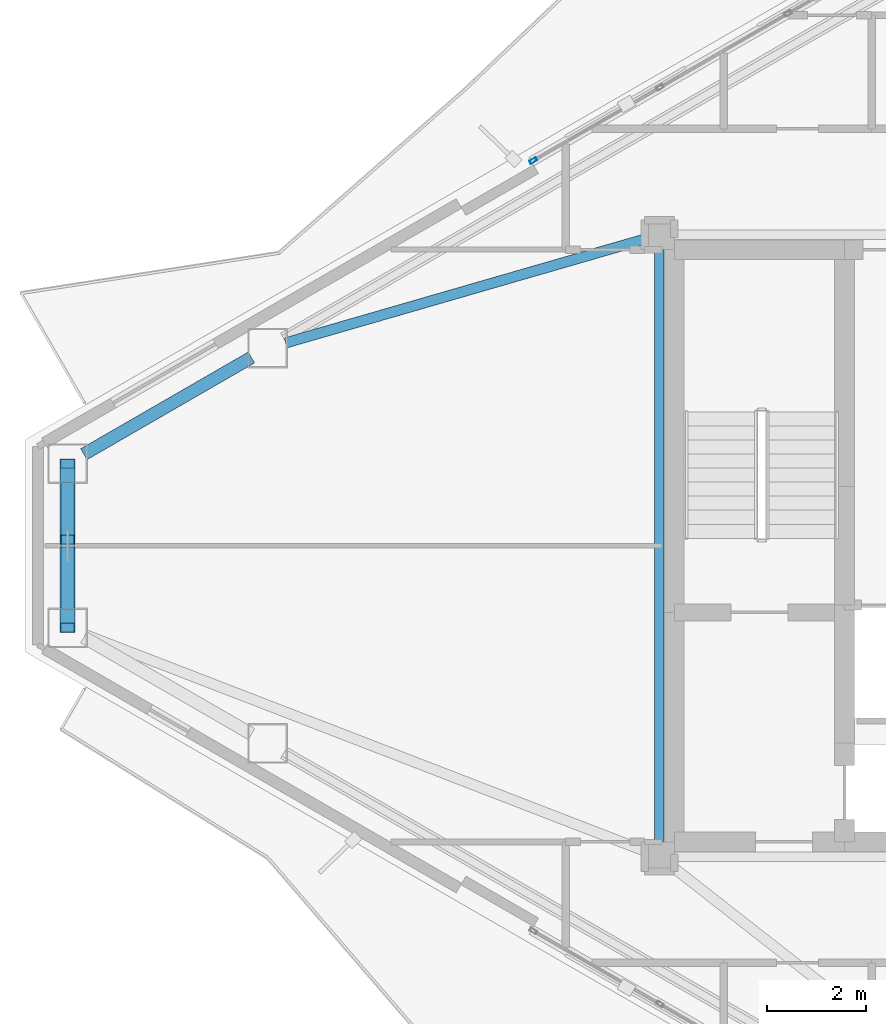
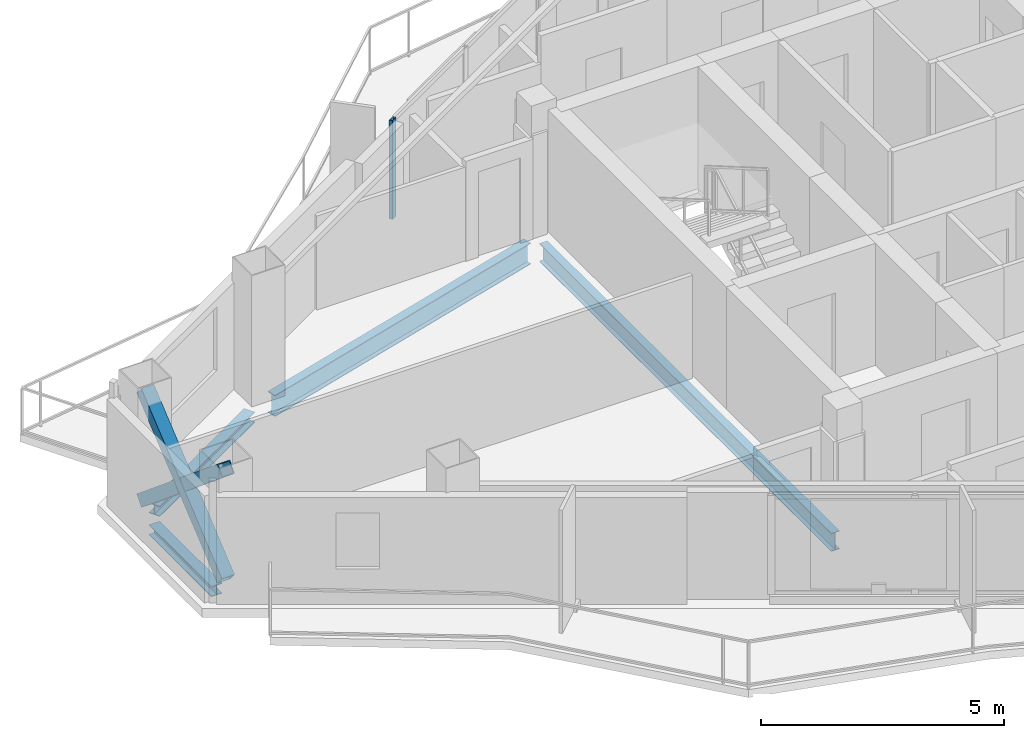
# One storey, part 7 of 21: 4 beams, 4 members, 1 element without a shape of its own.
"""IFC4 building model written with IfcOpenShell, lengths in metres."""

from ifc_helpers import new_model, si_unit, direction, frame, origin, origin_2d, place, context, subcontext, project, spatial, hollow_rectangle, i_section, extrude, material, layer, layer_set, material_profile, profile_set, type_object, element, aggregate, save


model = new_model("IFC4")

# Units and contexts
model_context = context("Model", 3, precision=1e-05, world=origin(), true_north=direction((0.0, 1.0)))
body_context = subcontext(model_context, "Body", "Model", "MODEL_VIEW")
ifc_project = project(units=[si_unit("LENGTHUNIT", "METRE"), si_unit("AREAUNIT", "SQUARE_METRE"), si_unit("VOLUMEUNIT", "CUBIC_METRE"), si_unit("PLANEANGLEUNIT", "RADIAN"), si_unit("MASSUNIT", "GRAM", prefix="KILO")], contexts=[model_context])

# Site, building, storey
site_placement = place(None, origin())
site = spatial("IfcSite", under=ifc_project, at=site_placement, CompositionType="ELEMENT")
building_placement = place(site_placement, origin())
building = spatial("IfcBuilding", under=site, at=building_placement, Name="Mersakhor Tower and Convention Hall", CompositionType="ELEMENT")
storey_placement = place(building_placement, frame((0.0, 0.0, 211.800048828125)))
storey = spatial("IfcBuildingStorey", under=building, at=storey_placement, Name="L59", CompositionType="ELEMENT", Elevation=211.800048828125)

# Beams
ifc_material_1 = material(Name="Steel S355", Category="steel")
ifc_material_profile_1 = material_profile(ifc_material_1, i_section(OverallWidth=0.19140625, OverallDepth=0.4599609375, WebThickness=0.010009765625, FlangeThickness=0.01611328125, at=origin_2d()), Name="UB 457x191x82")
ifc_profile_set_1 = profile_set([ifc_material_profile_1], Name="Steel S355")
beam_type_1 = type_object("IfcBeamType", Name="BM-FB-457", PredefinedType="BEAM", material=ifc_profile_set_1)
beam_1_placement = place(storey_placement, frame((21.89990234375, 20.72998046875, -0.4599609375), z_axis=(0.0, 1.0, 0.0), x_axis=(-1.0, 0.0, 0.0)))
element("IfcBeam", 1, at=beam_1_placement, inside=storey, type_object=beam_type_1, Name="L59 Core Ring Tie Beam CRB-1", PredefinedType="BEAM", context=body_context, shape_type="SweptSolid", body=[
    extrude(i_section(OverallWidth=0.19140625, OverallDepth=0.4599609375, WebThickness=0.010009765625, FlangeThickness=0.01611328125, at=origin_2d()), origin(), (0.0, 0.0, 1.0), 12.0400390625),
])
ifc_material_2 = material(Name="Steel S355", Category="steel")
ifc_material_profile_2 = material_profile(ifc_material_2, i_section(OverallWidth=0.2099609375, OverallDepth=0.53662109375, WebThickness=0.0107421875, FlangeThickness=0.017333984375, at=origin_2d()), Name="UB 533x210x101")
ifc_profile_set_2 = profile_set([ifc_material_profile_2], Name="Steel S355")
beam_type_2 = type_object("IfcBeamType", Name="BM-FB-533", PredefinedType="BEAM", material=ifc_profile_set_2)
beam_2_placement = place(storey_placement, frame((21.631103515625, 32.97216796875, -0.49853515625), z_axis=(-0.960673848118, -0.277679234987, 0.0), x_axis=(0.277679234987, -0.960673848118, 0.0)))
element("IfcBeam", 2, at=beam_2_placement, inside=storey, type_object=beam_type_2, Name="L59 Primary Floor Girder FG-1", PredefinedType="BEAM", context=body_context, shape_type="SweptSolid", body=[
    extrude(i_section(OverallWidth=0.2099609375, OverallDepth=0.53662109375, WebThickness=0.0107421875, FlangeThickness=0.017333984375, at=origin_2d()), origin(), (0.0, 0.0, 1.0), 7.605224609375),
])
ifc_material_3 = material(Name="Steel S355", Category="steel")
ifc_material_profile_3 = material_profile(ifc_material_3, i_section(OverallWidth=0.25634765625, OverallDepth=0.26025390625, WebThickness=0.01025390625, FlangeThickness=0.017333984375, at=origin_2d()), Name="UC 254x254x89")
ifc_profile_set_3 = profile_set([ifc_material_profile_3], Name="Steel S355")
beam_type_3 = type_object("IfcBeamType", Name="BM-SPD-UC254", PredefinedType="SPANDREL", material=ifc_profile_set_3)
beam_3_placement = place(storey_placement, frame((10.236572265625, 28.605224609375, -0.360107421875), z_axis=(0.866007153761, 0.500031608635, 0.0), x_axis=(-0.500031608635, 0.866007153761, 0.0)))
element("IfcBeam", 3, at=beam_3_placement, inside=storey, type_object=beam_type_3, Name="L59 Perimeter Spandrel Beam SPB-01", PredefinedType="SPANDREL", context=body_context, shape_type="SweptSolid", body=[
    extrude(i_section(OverallWidth=0.25634765625, OverallDepth=0.26025390625, WebThickness=0.01025390625, FlangeThickness=0.017333984375, at=origin_2d()), origin(), (0.0, 0.0, 1.0), 3.919189453125),
])
beam_4_placement = place(storey_placement, frame((9.907470703125, 25.464599609375, -0.360107421875), z_axis=(0.0, 1.0, 0.0), x_axis=(-1.0, 0.0, 0.0)))
element("IfcBeam", 4, at=beam_4_placement, inside=storey, type_object=beam_type_3, Name="L59 Perimeter Spandrel Beam SPB-12", PredefinedType="SPANDREL", context=body_context, shape_type="SweptSolid", body=[
    extrude(i_section(OverallWidth=0.25634765625, OverallDepth=0.26025390625, WebThickness=0.01025390625, FlangeThickness=0.017333984375, at=origin_2d()), origin(), (0.0, 0.0, 1.0), 2.57080078125),
])

# Curtain wall, member
ifc_material_4 = material(Name="Dark solar low-E aluminium curtain wall", Category="aluminium")
ifc_layer = layer(ifc_material_4, 0.169921875)
ifc_layer_set = layer_set([ifc_layer], Name="Dark solar low-E aluminium curtain wall")
curtain_wall_type = type_object("IfcCurtainWallType", Name="CW-SYS-02", PredefinedType="USERDEFINED", material=ifc_layer_set)
curtain_wall_placement = place(storey_placement, origin())
curtain_wall = element("IfcCurtainWall", 5, at=curtain_wall_placement, inside=storey, type_object=curtain_wall_type, Name="L59 Dark-Glass Curtain Wall F1-B2", ObjectType="CURTAIN WALL", PredefinedType="USERDEFINED")
ifc_material_5 = material(Name="Anodised aluminium EN AW-6063 T6", Category="aluminium")
ifc_material_profile_4 = material_profile(ifc_material_5, hollow_rectangle(XDim=0.074951171875, YDim=0.14990234375, WallThickness=0.00634765625, at=origin_2d()), Name="RHS 150x75x6.3")
ifc_profile_set_4 = profile_set([ifc_material_profile_4], Name="Anodised aluminium EN AW-6063 T6")
member_type_1 = type_object("IfcMemberType", Name="CWM-150x75", PredefinedType="MULLION", material=ifc_profile_set_4)
member_1_placement = place(storey_placement, frame((19.341796875, 34.554931640625, 0.199951171875), z_axis=(0.0, 0.0, 1.0), x_axis=(-0.500007824483, 0.86602088627, 0.0)))
member_1 = element("IfcMember", 6, at=member_1_placement, type_object=member_type_1, Name="CW-02 mullion 1", PredefinedType="MULLION", context=body_context, shape_type="SweptSolid", body=[
    extrude(hollow_rectangle(XDim=0.074951171875, YDim=0.14990234375, WallThickness=0.00634765625, at=origin_2d()), origin(), (0.0, 0.0, 1.0), 2.489990234375),
])
aggregate(curtain_wall, [member_1])

# Members
ifc_material_6 = material(Name="Steel S355", Category="steel")
ifc_material_profile_5 = material_profile(ifc_material_6, hollow_rectangle(XDim=0.300048828125, YDim=0.300048828125, WallThickness=0.01611328125, at=origin_2d()), Name="SHS 300x300x16")
ifc_profile_set_5 = profile_set([ifc_material_profile_5], Name="Steel S355")
member_type_2 = type_object("IfcMemberType", Name="MB-BRC-SHS300", PredefinedType="BRACE", material=ifc_profile_set_5)
member_2_placement = place(storey_placement, frame((9.907470703125, 25.084716796875, 0.14990234375), z_axis=(0.0, 0.768839937868, 0.639441279508), x_axis=(-1.0, 0.0, 0.0)))
element("IfcMember", 7, at=member_2_placement, inside=storey, type_object=member_type_2, Name="L59 Chamfer Braced Frame Diagonal CB-3A", PredefinedType="BRACE", context=body_context, shape_type="SweptSolid", body=[
    extrude(hollow_rectangle(XDim=0.300048828125, YDim=0.300048828125, WallThickness=0.01611328125, at=origin_2d()), origin(), (0.0, 0.0, 1.0), 4.33203125),
])
member_3_placement = place(storey_placement, frame((9.907470703125, 28.415283203125, 0.14990234375), z_axis=(0.0, -0.768839543052, 0.63944175422), x_axis=(1.0, 0.0, 0.0)))
element("IfcMember", 8, at=member_3_placement, inside=storey, type_object=member_type_2, Name="L59 Chamfer Braced Frame Diagonal CB-3B Lower Half", PredefinedType="BRACE", context=body_context, shape_type="SweptSolid", body=[
    extrude(hollow_rectangle(XDim=0.300048828125, YDim=0.300048828125, WallThickness=0.01611328125, at=origin_2d()), origin(), (0.0, 0.0, 1.0), 2.005615234375),
])
member_4_placement = place(storey_placement, frame((9.907470703125, 26.626708984375, 1.6376953125), z_axis=(0.0, -0.768899389676, 0.639369790149), x_axis=(1.0, 0.0, 0.0)))
element("IfcMember", 9, at=member_4_placement, inside=storey, type_object=member_type_2, Name="L59 Chamfer Braced Frame Diagonal CB-3B Upper Half", PredefinedType="BRACE", context=body_context, shape_type="SweptSolid", body=[
    extrude(hollow_rectangle(XDim=0.300048828125, YDim=0.300048828125, WallThickness=0.01611328125, at=origin_2d()), origin(), (0.0, 0.0, 1.0), 2.00537109375),
])

save(model, "model.ifc")
